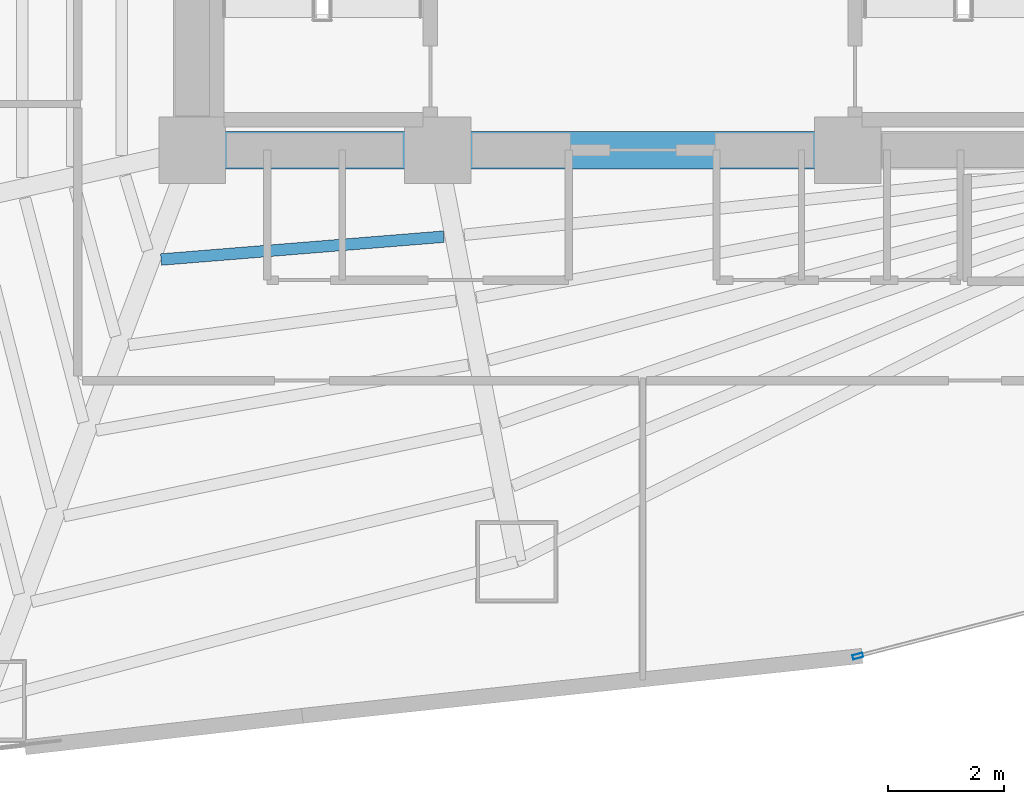
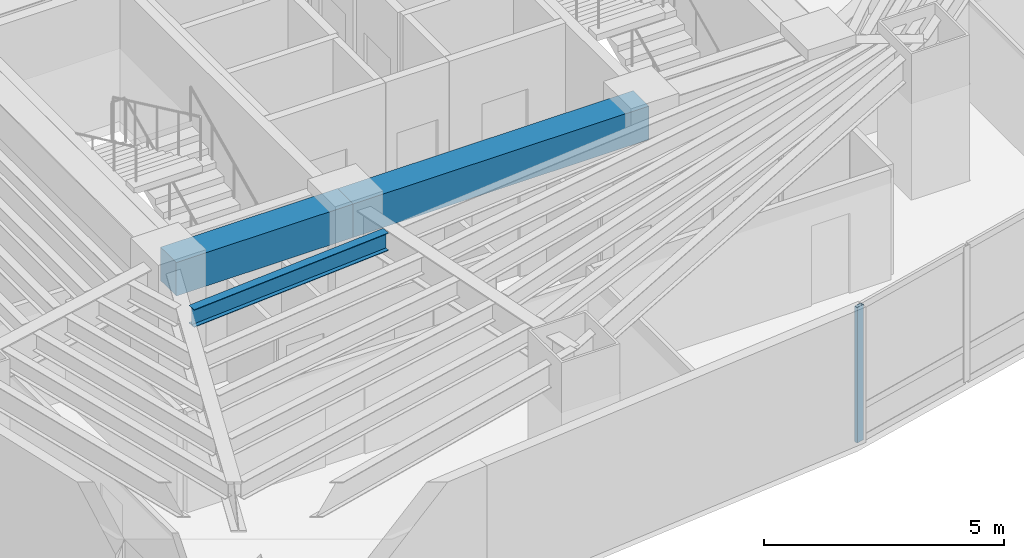
# One storey, part 4 of 20: 3 beams, 1 member, 1 element without a shape of its own.
"""IFC4 building model written with IfcOpenShell, lengths in metres."""

from ifc_helpers import new_model, si_unit, direction, frame, origin, origin_2d, place, context, subcontext, project, spatial, rectangle, hollow_rectangle, i_section, extrude, material, layer, layer_set, material_profile, profile_set, type_object, element, aggregate, save


model = new_model("IFC4")

# Units and contexts
model_context = context("Model", 3, precision=1e-05, world=origin(), true_north=direction((0.0, 1.0)))
body_context = subcontext(model_context, "Body", "Model", "MODEL_VIEW")
ifc_project = project(units=[si_unit("LENGTHUNIT", "METRE"), si_unit("AREAUNIT", "SQUARE_METRE"), si_unit("VOLUMEUNIT", "CUBIC_METRE"), si_unit("PLANEANGLEUNIT", "RADIAN"), si_unit("MASSUNIT", "GRAM", prefix="KILO")], contexts=[model_context])

# Site, building, storey
site_placement = place(None, origin())
site = spatial("IfcSite", under=ifc_project, at=site_placement, CompositionType="ELEMENT")
building_placement = place(site_placement, origin())
building = spatial("IfcBuilding", under=site, at=building_placement, Name="Menara Vayukalpa", CompositionType="ELEMENT")
storey_placement = place(building_placement, frame((0.0, 0.0, 64.800048828125)))
storey = spatial("IfcBuildingStorey", under=building, at=storey_placement, Name="L15", CompositionType="ELEMENT", Elevation=64.800048828125)

# Beams
ifc_material_1 = material(Name="Concrete C60/75", Category="concrete")
ifc_material_profile_1 = material_profile(ifc_material_1, rectangle(XDim=0.64990234375, YDim=0.85009765625, at=origin_2d()), Name="RC 650x850")
ifc_profile_set_1 = profile_set([ifc_material_profile_1], Name="Concrete C60/75")
beam_type_1 = type_object("IfcBeamType", Name="BM-CB1", PredefinedType="BEAM", material=ifc_profile_set_1)
beam_1_placement = place(storey_placement, frame((17.800048828125, 17.199951171875, 3.014892578125), z_axis=(1.0, 0.0, 0.0), x_axis=(0.0, 1.0, 0.0)))
element("IfcBeam", 1, at=beam_1_placement, inside=storey, type_object=beam_type_1, Name="L15 Core Tie Beam CBR1", PredefinedType="BEAM", context=body_context, shape_type="SweptSolid", body=[
    extrude(rectangle(XDim=0.64990234375, YDim=0.85009765625, at=origin_2d()), origin(), (0.0, 0.0, 1.0), 4.25),
])
beam_2_placement = place(storey_placement, frame((22.050048828125, 17.199951171875, 3.014892578125), z_axis=(1.0, 0.0, 0.0), x_axis=(0.0, 1.0, 0.0)))
element("IfcBeam", 2, at=beam_2_placement, inside=storey, type_object=beam_type_1, Name="L15 Core Tie Beam CBR2", PredefinedType="BEAM", context=body_context, shape_type="SweptSolid", body=[
    extrude(rectangle(XDim=0.64990234375, YDim=0.85009765625, at=origin_2d()), origin(), (0.0, 0.0, 1.0), 7.099853515625),
])
ifc_material_2 = material(Name="Steel S355", Category="steel")
ifc_material_profile_2 = material_profile(ifc_material_2, i_section(OverallWidth=0.199951171875, OverallDepth=0.449951171875, WebThickness=0.009033203125, FlangeThickness=0.013916015625, at=origin_2d()), Name="WF 450x200x9x14")
ifc_profile_set_2 = profile_set([ifc_material_profile_2], Name="Steel S355")
beam_type_2 = type_object("IfcBeamType", Name="BM-SJ1", PredefinedType="JOIST", material=ifc_profile_set_2)
beam_3_placement = place(storey_placement, frame((17.262451171875, 15.306396484375, 3.21484375), z_axis=(0.996745483939, 0.08061290373, 0.0), x_axis=(-0.08061290373, 0.996745483939, 0.0)))
element("IfcBeam", 3, at=beam_3_placement, inside=storey, type_object=beam_type_2, Name="L15 Secondary Floor Joist SJ07-1", PredefinedType="JOIST", context=body_context, shape_type="SweptSolid", body=[
    extrude(i_section(OverallWidth=0.199951171875, OverallDepth=0.449951171875, WebThickness=0.009033203125, FlangeThickness=0.013916015625, at=origin_2d()), origin(), (0.0, 0.0, 1.0), 4.9091796875),
])

# Curtain wall, member
ifc_material_3 = material(Name="Anodised Terracotta Aluminium Alloy 6063-T6", Category="masonry")
ifc_layer = layer(ifc_material_3, 0.179931640625)
ifc_layer_set = layer_set([ifc_layer], Name="Anodised Terracotta Aluminium Alloy 6063-T6")
curtain_wall_type = type_object("IfcCurtainWallType", Name="CW-CW4", PredefinedType="USERDEFINED", material=ifc_layer_set)
curtain_wall_placement = place(storey_placement, origin())
curtain_wall = element("IfcCurtainWall", 4, at=curtain_wall_placement, inside=storey, type_object=curtain_wall_type, Name="L15 Sky Bar Cantilever Glazed Curtain Wall CW4 16", ObjectType="UNITISED", PredefinedType="USERDEFINED")
ifc_material_4 = material(Name="Anodised Terracotta Aluminium Alloy 6063-T6", Category="masonry")
ifc_material_profile_3 = material_profile(ifc_material_4, hollow_rectangle(XDim=0.074951171875, YDim=0.179931640625, WallThickness=0.00390625, at=origin_2d()), Name="ALU 75x180x4")
ifc_profile_set_3 = profile_set([ifc_material_profile_3], Name="Anodised Terracotta Aluminium Alloy 6063-T6")
member_type = type_object("IfcMemberType", Name="CWM-CW4", PredefinedType="MULLION", material=ifc_profile_set_3)
member_placement = place(storey_placement, frame((29.324462890625, 8.44140625, 0.0), z_axis=(0.0, 0.0, 1.0), x_axis=(-0.25040286747, 0.968141727209, 0.0)))
member = element("IfcMember", 5, at=member_placement, type_object=member_type, Name="CW4 mullion 1", PredefinedType="MULLION", context=body_context, shape_type="SweptSolid", body=[
    extrude(hollow_rectangle(XDim=0.074951171875, YDim=0.179931640625, WallThickness=0.00390625, at=origin_2d()), origin(), (0.0, 0.0, 1.0), 3.43994140625),
])
aggregate(curtain_wall, [member])

save(model, "model.ifc")
